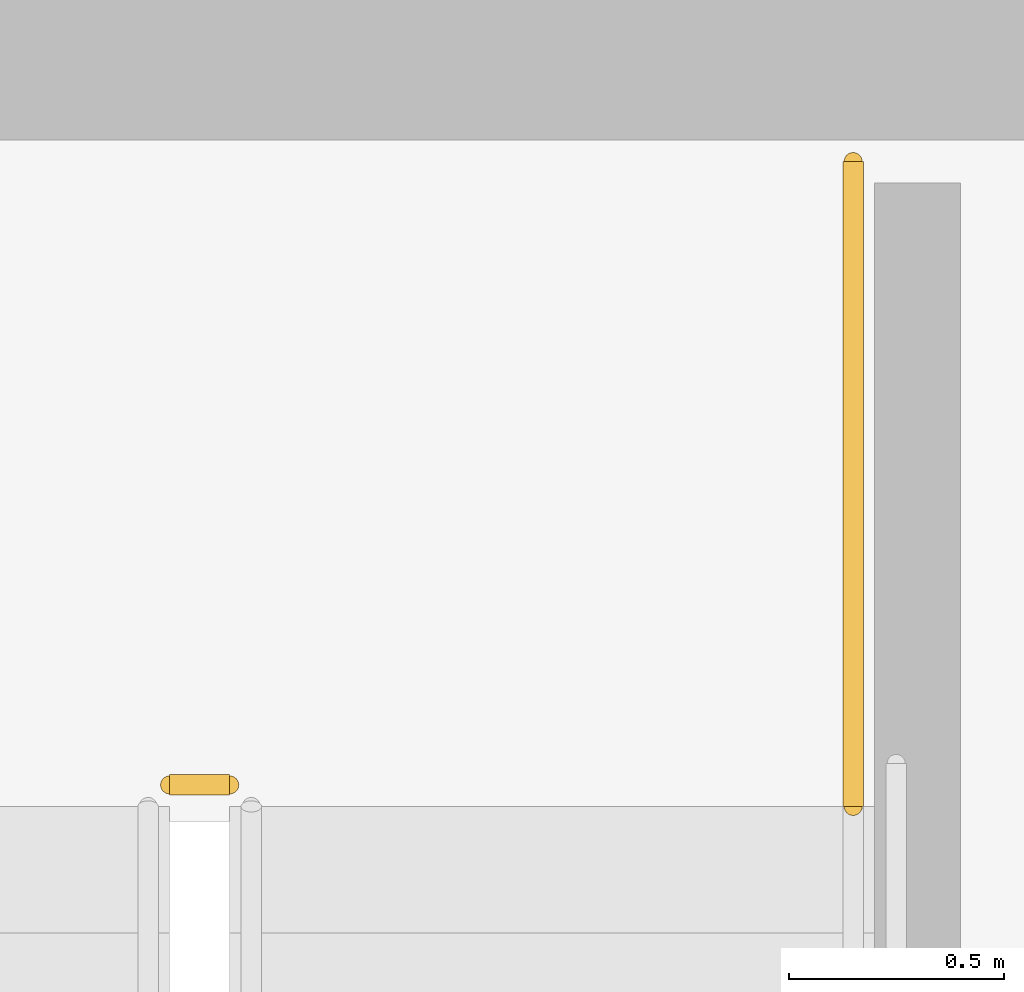
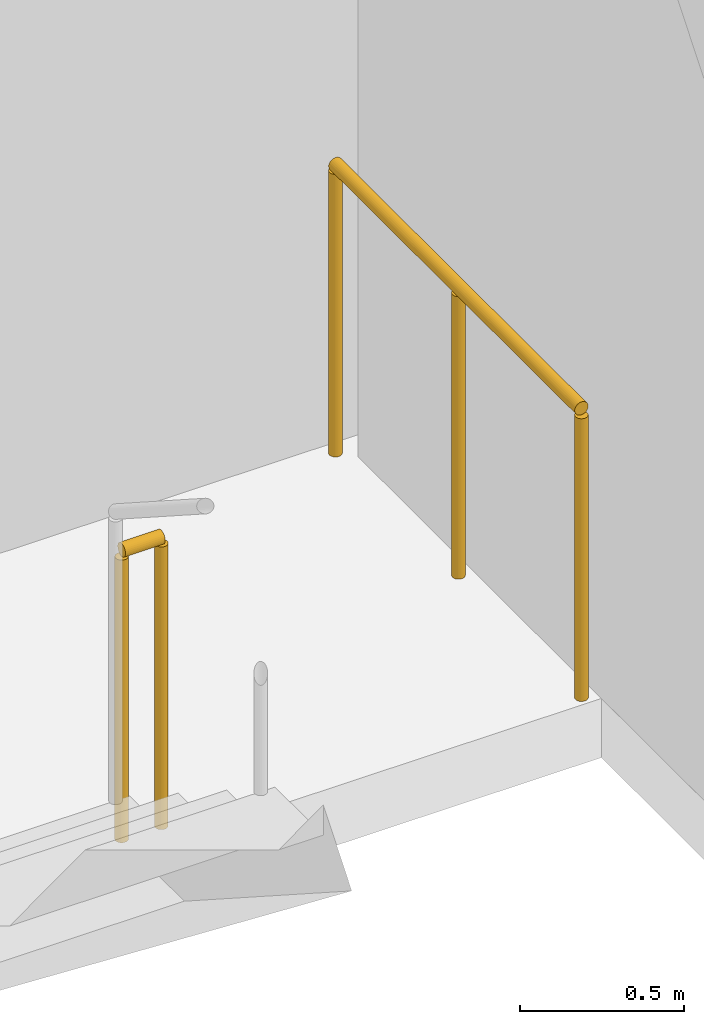
# One storey, part 35 of 35: 2 railings.
"""IFC4 building model written with IfcOpenShell, lengths in metres."""

from ifc_helpers import new_model, si_unit, direction, frame, origin, origin_2d, place, context, subcontext, project, spatial, circle, extrude, material, layer, layer_set, type_object, element, save


model = new_model("IFC4")

# Units and contexts
model_context = context("Model", 3, precision=1e-05, world=origin(), true_north=direction((0.0, 1.0)))
body_context = subcontext(model_context, "Body", "Model", "MODEL_VIEW")
ifc_project = project(units=[si_unit("LENGTHUNIT", "METRE"), si_unit("AREAUNIT", "SQUARE_METRE"), si_unit("VOLUMEUNIT", "CUBIC_METRE"), si_unit("PLANEANGLEUNIT", "RADIAN"), si_unit("MASSUNIT", "GRAM", prefix="KILO")], contexts=[model_context])

# Site, building, storey
site_placement = place(None, origin())
site = spatial("IfcSite", under=ifc_project, at=site_placement, CompositionType="ELEMENT")
building_placement = place(site_placement, origin())
building = spatial("IfcBuilding", under=site, at=building_placement, Name="Ndaravel Arena Tower", CompositionType="ELEMENT")
storey_placement = place(building_placement, frame((0.0, 0.0, 271.199951171875)))
storey = spatial("IfcBuildingStorey", under=building, at=storey_placement, Name="L66", CompositionType="ELEMENT", Elevation=271.199951171875)

# Railings
ifc_material = material(Name="Steel S355", Category="steel")
ifc_layer = layer(ifc_material, 0.06005859375)
ifc_layer_set = layer_set([ifc_layer], Name="Steel S355")
railing_type = type_object("IfcRailingType", Name="RAIL-STAIR-GD1100", PredefinedType="GUARDRAIL", material=ifc_layer_set)
railing_1_placement = place(storey_placement, frame((55.10009765625, 13.300048828125, 0.0)))
element("IfcRailing", 1, at=railing_1_placement, inside=storey, type_object=railing_type, Name="L66 ST-3 stair guard 4", PredefinedType="GUARDRAIL", context=body_context, shape_type="SweptSolid", body=[
    extrude(circle(Radius=0.02392578125, at=origin_2d()), frame((0.0, 0.0, 1.076171875), z_axis=(1.0, 0.0, 0.0), x_axis=(0.0, 1.0, 0.0)), (0.0, 0.0, 1.0), 0.139892578125),
    extrude(circle(Radius=0.02099609375, at=origin_2d()), origin(), (0.0, 0.0, 1.0), 1.052001953125),
    extrude(circle(Radius=0.02099609375, at=origin_2d()), frame((0.139892578125, 0.0, 0.0)), (0.0, 0.0, 1.0), 1.052001953125),
])
railing_2_placement = place(storey_placement, frame((56.68994140625, 14.75, 0.0)))
element("IfcRailing", 2, at=railing_2_placement, inside=storey, type_object=railing_type, Name="L66 ST-3 stair guard 5", PredefinedType="GUARDRAIL", context=body_context, shape_type="SweptSolid", body=[
    extrude(circle(Radius=0.02392578125, at=origin_2d()), frame((0.0, 0.0, 1.076171875), z_axis=(0.0, -1.0, 0.0), x_axis=(1.0, 0.0, 0.0)), (0.0, 0.0, 1.0), 1.5),
    extrude(circle(Radius=0.02099609375, at=origin_2d()), origin(), (0.0, 0.0, 1.0), 1.052001953125),
    extrude(circle(Radius=0.02099609375, at=origin_2d()), frame((0.0, -0.75, 0.0)), (0.0, 0.0, 1.0), 1.052001953125),
    extrude(circle(Radius=0.02099609375, at=origin_2d()), frame((0.0, -1.5, 0.0)), (0.0, 0.0, 1.0), 1.052001953125),
])

save(model, "model.ifc")
